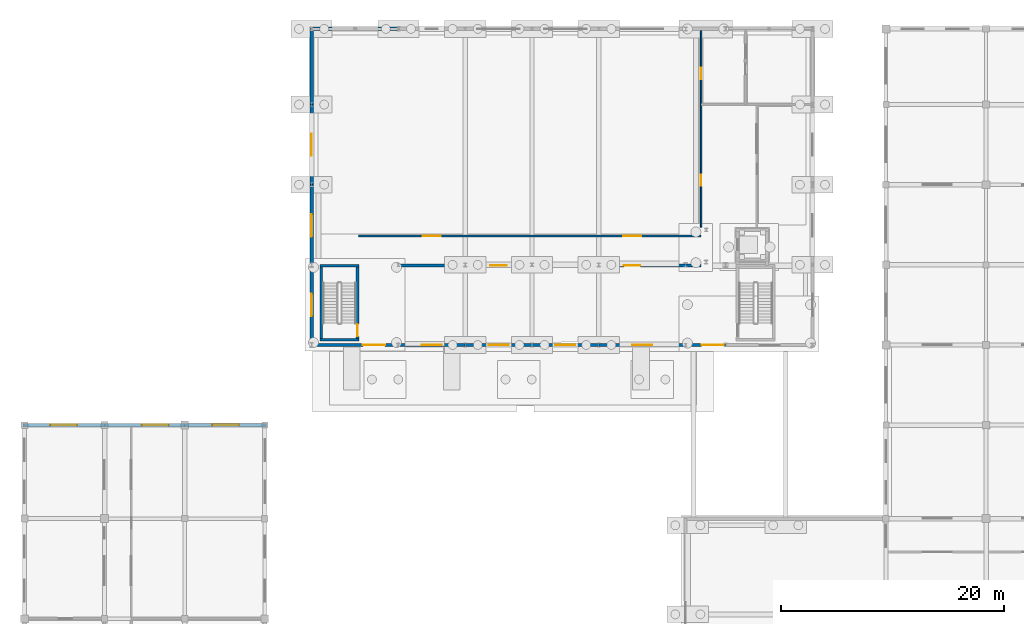
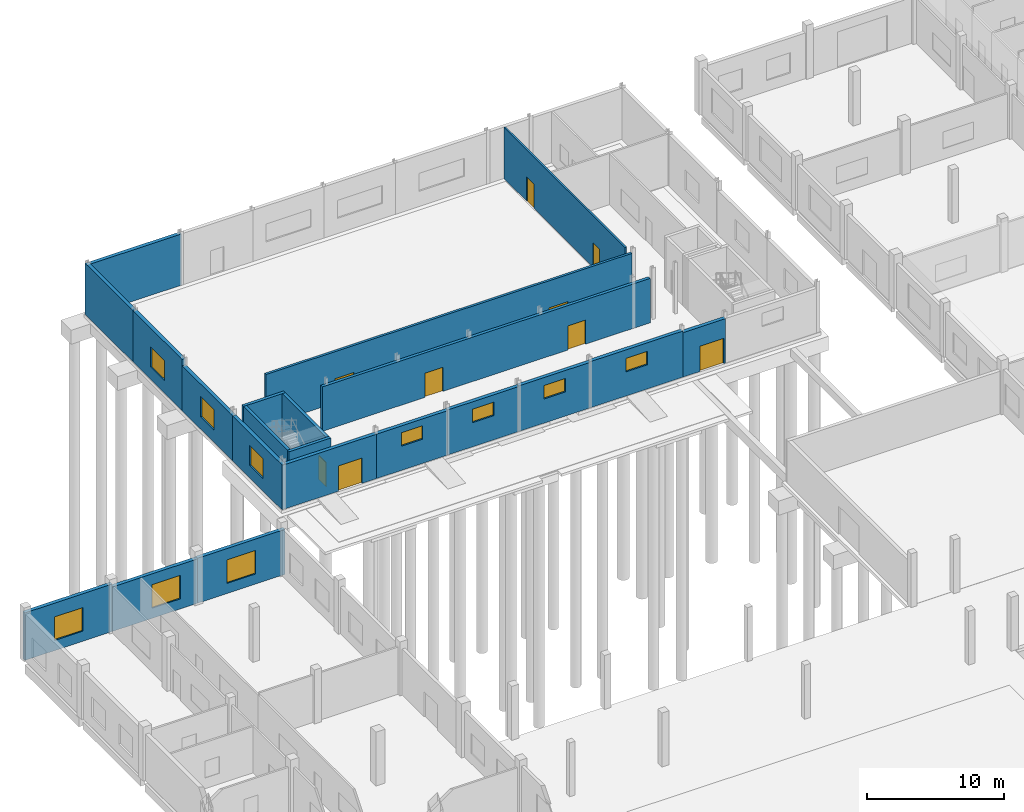
# One storey, part 75 of 91: 21 walls, 10 windows, 9 doors, 19 openings.
"""IFC4 building model written with IfcOpenShell, lengths in metres."""

from ifc_helpers import new_model, si_unit, direction, frame, frame_2d, origin, place, context, subcontext, project, spatial, rectangle, extrude, material, layer, layer_set, type_object, element, fill, save


model = new_model("IFC4")

# Units and contexts
model_context = context("Model", 3, precision=1e-05, world=origin(), true_north=direction((0.0, 1.0)))
body_context = subcontext(model_context, "Body", "Model", "MODEL_VIEW")
ifc_project = project(units=[si_unit("LENGTHUNIT", "METRE"), si_unit("AREAUNIT", "SQUARE_METRE"), si_unit("VOLUMEUNIT", "CUBIC_METRE"), si_unit("PLANEANGLEUNIT", "RADIAN"), si_unit("MASSUNIT", "GRAM", prefix="KILO")], contexts=[model_context])

# Site, building, storey
site_placement = place(None, origin())
site = spatial("IfcSite", under=ifc_project, at=site_placement, CompositionType="ELEMENT")
building_placement = place(site_placement, origin())
building = spatial("IfcBuilding", under=site, at=building_placement, Name="Vinh Khe Railworks Police Headquarters", CompositionType="ELEMENT")
storey_placement = place(building_placement, origin())
storey = spatial("IfcBuildingStorey", under=building, at=storey_placement, Name="L00", CompositionType="ELEMENT", Elevation=0.0)

# Wall
ifc_material_1 = material(Name="Concrete C40/50 (B40)", Category="concrete")
ifc_layer_1 = layer(ifc_material_1, 0.25)
ifc_layer_set_1 = layer_set([ifc_layer_1], Name="Concrete C40/50 (B40)")
wall_type_1 = type_object("IfcWallType", Name="CW-RC-250", PredefinedType="SHEAR", material=ifc_layer_set_1)
wall_1_placement = place(storey_placement, frame((27.27490234375, 138.35009765625, 0.0), z_axis=(0.0, 0.0, 1.0), x_axis=(0.0, 1.0, 0.0)))
element("IfcWall", 1, at=wall_1_placement, inside=storey, type_object=wall_type_1, Name="Core C7 Enclosure Wall L00 STAIR-W", PredefinedType="SHEAR", context=body_context, shape_type="SweptSolid", body=[
    extrude(rectangle(XDim=6.89990234375, YDim=0.25, at=frame_2d((3.449951171875, 0.0))), origin(), (0.0, 0.0, 1.0), 4.56005859375),
])

# Wall, opening, door
wall_2_placement = place(storey_placement, frame((30.52490234375, 138.35009765625, 0.0), z_axis=(0.0, 0.0, 1.0), x_axis=(0.0, 1.0, 0.0)))
wall_2 = element("IfcWall", 2, at=wall_2_placement, inside=storey, type_object=wall_type_1, Name="Core C7 Enclosure Wall L00 STAIR-E", PredefinedType="SHEAR", context=body_context, shape_type="SweptSolid", body=[
    extrude(rectangle(XDim=6.89990234375, YDim=0.25, at=frame_2d((3.449951171875, 0.0))), origin(), (0.0, 0.0, 1.0), 4.56005859375),
])
opening_1_placement = place(wall_2_placement, frame((0.419921875, 0.0, 0.0)))
opening_1 = element("IfcOpeningElement", 3, at=opening_1_placement, cuts=wall_2, Name="Opening FD-01", PredefinedType="OPENING", context=body_context, shape_type="SweptSolid", body=[
    extrude(rectangle(XDim=1.10009765625, YDim=2.14990234375, at=frame_2d((0.550048828125, 1.074951171875))), frame((0.0, 0.139892578125, 0.0), z_axis=(0.0, -1.0, 0.0), x_axis=(1.0, 0.0, 0.0)), (0.0, 0.0, 1.0), 0.27978515625),
])
ifc_material_2 = material(Name="Painted galvanised steel", Category="steel")
door_type_1 = type_object("IfcDoorType", Name="FD-1100x2150", OperationType="NOTDEFINED", PredefinedType="DOOR", material=ifc_material_2)
door_1_placement = place(opening_1_placement, frame((1.10009765625, 0.0, 0.0), z_axis=(0.0, 0.0, 1.0), x_axis=(-1.0, 0.0, 0.0)))
door_1 = element("IfcDoor", 4, at=door_1_placement, inside=storey, type_object=door_type_1, Name="Escape Stair ST-07 Fire Door L00", OperationType="SINGLE_SWING_RIGHT", OverallHeight=2.14990234375, OverallWidth=1.10009765625, PredefinedType="DOOR", context=body_context, shape_type="SweptSolid", body=[
    extrude(rectangle(XDim=1.10009765625, YDim=2.14990234375, at=frame_2d((0.550048828125, 1.074951171875))), frame((0.0, 0.02490234375, 0.0), z_axis=(0.0, -1.0, 0.0), x_axis=(1.0, 0.0, 0.0)), (0.0, 0.0, 1.0), 0.050048828125),
])
fill(opening_1, door_1)

# Walls
for number, where, z_axis, x_axis, name in (
    (5, (27.14990234375, 138.47509765625, 0.0), (0.0, 0.0, 1.0), (1.0, 0.0, 0.0), "Core C7 Enclosure Wall L00 STAIR-S"),
    (6, (27.14990234375, 145.125, 0.0), (0.0, 0.0, 1.0), (1.0, 0.0, 0.0), "Core C7 Enclosure Wall L00 STAIR-N"),
):
    element("IfcWall", number, at=place(storey_placement, frame(where, z_axis=z_axis, x_axis=x_axis)), inside=storey, type_object=wall_type_1, Name=name, PredefinedType="SHEAR", context=body_context, shape_type="SweptSolid", body=[
        extrude(rectangle(XDim=3.5, YDim=0.25, at=frame_2d((1.75, 0.0))), origin(), (0.0, 0.0, 1.0), 4.56005859375),
    ])

# Wall, opening, window
ifc_material_3 = material(Name="Clay brickwork", Category="masonry")
ifc_layer_2 = layer(ifc_material_3, 0.300048828125)
ifc_layer_set_2 = layer_set([ifc_layer_2], Name="Clay brickwork")
wall_type_2 = type_object("IfcWallType", Name="EW-BRK-300", PredefinedType="SOLIDWALL", material=ifc_layer_set_2)
wall_3_placement = place(storey_placement, frame((0.449951171875, 130.800048828125, 0.0), z_axis=(0.0, 0.0, 1.0), x_axis=(1.0, 0.0, 0.0)))
wall_3 = element("IfcWall", 7, at=wall_3_placement, inside=storey, type_object=wall_type_2, Name="Exterior Brick Wall EW-L00-V5N-01", PredefinedType="SOLIDWALL", context=body_context, shape_type="SweptSolid", body=[
    extrude(rectangle(XDim=7.35009765625, YDim=0.300048828125, at=frame_2d((3.675048828125, 0.0))), origin(), (0.0, 0.0, 1.0), 4.22509765625),
])
opening_2_placement = place(wall_3_placement, frame((2.47509765625, 0.0, 0.89990234375)))
opening_2 = element("IfcOpeningElement", 8, at=opening_2_placement, cuts=wall_3, Name="Opening WN-02", PredefinedType="OPENING", context=body_context, shape_type="SweptSolid", body=[
    extrude(rectangle(XDim=2.39990234375, YDim=2.10009765625, at=frame_2d((1.199951171875, 1.050048828125))), frame((0.0, 0.1650390625, 0.0), z_axis=(0.0, -1.0, 0.0), x_axis=(1.0, 0.0, 0.0)), (0.0, 0.0, 1.0), 0.329833984375),
])
ifc_material_4 = material(Name="Double-glazed solar-control glass in dark steel frame", Category="steel")
window_type_1 = type_object("IfcWindowType", Name="WIN-WN-02", PartitioningType="DOUBLE_PANEL_VERTICAL", PredefinedType="WINDOW", material=ifc_material_4)
window_1_placement = place(opening_2_placement, origin())
window_1 = element("IfcWindow", 9, at=window_1_placement, inside=storey, type_object=window_type_1, Name="Casement Window WN-02", OverallHeight=2.10009765625, OverallWidth=2.39990234375, PartitioningType="SINGLE_PANEL", PredefinedType="WINDOW", context=body_context, shape_type="SweptSolid", body=[
    extrude(rectangle(XDim=2.39990234375, YDim=2.10009765625, at=frame_2d((1.199951171875, 1.050048828125))), frame((0.0, 0.030029296875, 0.0), z_axis=(0.0, -1.0, 0.0), x_axis=(1.0, 0.0, 0.0)), (0.0, 0.0, 1.0), 0.06005859375),
])
fill(opening_2, window_1)

wall_4_placement = place(storey_placement, frame((7.800048828125, 130.800048828125, 0.0), z_axis=(0.0, 0.0, 1.0), x_axis=(1.0, 0.0, 0.0)))
wall_4 = element("IfcWall", 10, at=wall_4_placement, inside=storey, type_object=wall_type_2, Name="Exterior Brick Wall EW-L00-V5N-02", PredefinedType="SOLIDWALL", context=body_context, shape_type="SweptSolid", body=[
    extrude(rectangle(XDim=7.199951171875, YDim=0.300048828125, at=frame_2d((3.60009765625, 0.0))), origin(), (0.0, 0.0, 1.0), 3.955078125),
])
opening_3_placement = place(wall_4_placement, frame((3.35009765625, 0.0, 0.89990234375)))
opening_3 = element("IfcOpeningElement", 11, at=opening_3_placement, cuts=wall_4, Name="Opening WN-02", PredefinedType="OPENING", context=body_context, shape_type="SweptSolid", body=[
    extrude(rectangle(XDim=2.39990234375, YDim=2.10009765625, at=frame_2d((1.199951171875, 1.050048828125))), frame((0.0, 0.1650390625, 0.0), z_axis=(0.0, -1.0, 0.0), x_axis=(1.0, 0.0, 0.0)), (0.0, 0.0, 1.0), 0.329833984375),
])
window_2_placement = place(opening_3_placement, origin())
window_2 = element("IfcWindow", 12, at=window_2_placement, inside=storey, type_object=window_type_1, Name="Casement Window WN-02", OverallHeight=2.10009765625, OverallWidth=2.39990234375, PartitioningType="SINGLE_PANEL", PredefinedType="WINDOW", context=body_context, shape_type="SweptSolid", body=[
    extrude(rectangle(XDim=2.39990234375, YDim=2.10009765625, at=frame_2d((1.199951171875, 1.050048828125))), frame((0.0, 0.030029296875, 0.0), z_axis=(0.0, -1.0, 0.0), x_axis=(1.0, 0.0, 0.0)), (0.0, 0.0, 1.0), 0.06005859375),
])
fill(opening_3, window_2)

wall_5_placement = place(storey_placement, frame((15.0, 130.800048828125, 0.0), z_axis=(0.0, 0.0, 1.0), x_axis=(1.0, 0.0, 0.0)))
wall_5 = element("IfcWall", 13, at=wall_5_placement, inside=storey, type_object=wall_type_2, Name="Exterior Brick Wall EW-L00-V5N-03", PredefinedType="SOLIDWALL", context=body_context, shape_type="SweptSolid", body=[
    extrude(rectangle(XDim=7.35009765625, YDim=0.300048828125, at=frame_2d((3.675048828125, 0.0))), origin(), (0.0, 0.0, 1.0), 4.0048828125),
])
opening_4_placement = place(wall_5_placement, frame((2.47509765625, 0.0, 0.89990234375)))
opening_4 = element("IfcOpeningElement", 14, at=opening_4_placement, cuts=wall_5, Name="Opening WN-02", PredefinedType="OPENING", context=body_context, shape_type="SweptSolid", body=[
    extrude(rectangle(XDim=2.39990234375, YDim=2.10009765625, at=frame_2d((1.199951171875, 1.050048828125))), frame((0.0, 0.1650390625, 0.0), z_axis=(0.0, -1.0, 0.0), x_axis=(1.0, 0.0, 0.0)), (0.0, 0.0, 1.0), 0.329833984375),
])
window_3_placement = place(opening_4_placement, origin())
window_3 = element("IfcWindow", 15, at=window_3_placement, inside=storey, type_object=window_type_1, Name="Casement Window WN-02", OverallHeight=2.10009765625, OverallWidth=2.39990234375, PartitioningType="SINGLE_PANEL", PredefinedType="WINDOW", context=body_context, shape_type="SweptSolid", body=[
    extrude(rectangle(XDim=2.39990234375, YDim=2.10009765625, at=frame_2d((1.199951171875, 1.050048828125))), frame((0.0, 0.030029296875, 0.0), z_axis=(0.0, -1.0, 0.0), x_axis=(1.0, 0.0, 0.0)), (0.0, 0.0, 1.0), 0.06005859375),
])
fill(opening_4, window_3)

# Wall, opening, door
wall_6_placement = place(storey_placement, frame((26.25, 138.0, 0.0), z_axis=(0.0, 0.0, 1.0), x_axis=(1.0, 0.0, 0.0)))
wall_6 = element("IfcWall", 16, at=wall_6_placement, inside=storey, type_object=wall_type_2, Name="Firing Range South Acoustic Wall L00-1", PredefinedType="SOLIDWALL", context=body_context, shape_type="SweptSolid", body=[
    extrude(rectangle(XDim=7.949951171875, YDim=0.300048828125, at=frame_2d((3.97509765625, 0.0))), origin(), (0.0, 0.0, 1.0), 3.955078125),
])
opening_5_placement = place(wall_6_placement, frame((4.75, 0.0, 0.0)))
opening_5 = element("IfcOpeningElement", 17, at=opening_5_placement, cuts=wall_6, Name="Opening ED-01", PredefinedType="OPENING", context=body_context, shape_type="SweptSolid", body=[
    extrude(rectangle(XDim=2.0, YDim=2.25, at=frame_2d((1.0, 1.125))), frame((0.0, 0.1650390625, 0.0), z_axis=(0.0, -1.0, 0.0), x_axis=(1.0, 0.0, 0.0)), (0.0, 0.0, 1.0), 0.329833984375),
])
ifc_material_5 = material(Name="Dark anodised aluminium and laminated safety glass", Category="aluminium")
door_type_2 = type_object("IfcDoorType", Name="ED-EXIT-2000", OperationType="DOUBLE_DOOR_SINGLE_SWING", PredefinedType="DOOR", material=ifc_material_5)
door_2_placement = place(opening_5_placement, frame((2.0, 0.0, 0.0), z_axis=(0.0, 0.0, 1.0), x_axis=(-1.0, 0.0, 0.0)))
door_2 = element("IfcDoor", 18, at=door_2_placement, inside=storey, type_object=door_type_2, Name="Shed West Stair C7 Final Exit Door", OperationType="DOUBLE_DOOR_SINGLE_SWING", OverallHeight=2.25, OverallWidth=2.0, PredefinedType="DOOR", context=body_context, shape_type="SweptSolid", body=[
    extrude(rectangle(XDim=2.0, YDim=2.25, at=frame_2d((1.0, 1.125))), frame((0.0, 0.02490234375, 0.0), z_axis=(0.0, -1.0, 0.0), x_axis=(1.0, 0.0, 0.0)), (0.0, 0.0, 1.0), 0.050048828125),
])
fill(opening_5, door_2)

# Wall, opening, window
wall_7_placement = place(storey_placement, frame((34.199951171875, 138.0, 0.0), z_axis=(0.0, 0.0, 1.0), x_axis=(1.0, 0.0, 0.0)))
wall_7 = element("IfcWall", 19, at=wall_7_placement, inside=storey, type_object=wall_type_2, Name="Firing Range South Acoustic Wall L00-2", PredefinedType="SOLIDWALL", context=body_context, shape_type="SweptSolid", body=[
    extrude(rectangle(XDim=6.0, YDim=0.300048828125, at=frame_2d((3.0, 0.0))), origin(), (0.0, 0.0, 1.0), 3.955078125),
])
opening_6_placement = place(wall_7_placement, frame((2.10009765625, 0.0, 2.14990234375)))
opening_6 = element("IfcOpeningElement", 20, at=opening_6_placement, cuts=wall_7, Name="Opening WN-08", PredefinedType="OPENING", context=body_context, shape_type="SweptSolid", body=[
    extrude(rectangle(XDim=1.800048828125, YDim=1.199951171875, at=frame_2d((0.89990234375, 0.60009765625))), frame((0.0, 0.1650390625, 0.0), z_axis=(0.0, -1.0, 0.0), x_axis=(1.0, 0.0, 0.0)), (0.0, 0.0, 1.0), 0.329833984375),
])
window_type_2 = type_object("IfcWindowType", Name="WIN-WN-08", PartitioningType="SINGLE_PANEL", PredefinedType="WINDOW", material=ifc_material_4)
window_4_placement = place(opening_6_placement, origin())
window_4 = element("IfcWindow", 21, at=window_4_placement, inside=storey, type_object=window_type_2, Name="Acoustic High Clerestory Window WIN-WN-08", OverallHeight=1.199951171875, OverallWidth=1.800048828125, PartitioningType="SINGLE_PANEL", PredefinedType="WINDOW", context=body_context, shape_type="SweptSolid", body=[
    extrude(rectangle(XDim=1.800048828125, YDim=1.199951171875, at=frame_2d((0.89990234375, 0.60009765625))), frame((0.0, 0.030029296875, 0.0), z_axis=(0.0, -1.0, 0.0), x_axis=(1.0, 0.0, 0.0)), (0.0, 0.0, 1.0), 0.06005859375),
])
fill(opening_6, window_4)

wall_8_placement = place(storey_placement, frame((40.199951171875, 138.0, 0.0), z_axis=(0.0, 0.0, 1.0), x_axis=(1.0, 0.0, 0.0)))
wall_8 = element("IfcWall", 22, at=wall_8_placement, inside=storey, type_object=wall_type_2, Name="Firing Range South Acoustic Wall L00-3", PredefinedType="SOLIDWALL", context=body_context, shape_type="SweptSolid", body=[
    extrude(rectangle(XDim=6.0, YDim=0.300048828125, at=frame_2d((3.0, 0.0))), origin(), (0.0, 0.0, 1.0), 4.0048828125),
])
opening_7_placement = place(wall_8_placement, frame((2.10009765625, 0.0, 2.14990234375)))
opening_7 = element("IfcOpeningElement", 23, at=opening_7_placement, cuts=wall_8, Name="Opening WN-08", PredefinedType="OPENING", context=body_context, shape_type="SweptSolid", body=[
    extrude(rectangle(XDim=1.800048828125, YDim=1.199951171875, at=frame_2d((0.89990234375, 0.60009765625))), frame((0.0, 0.1650390625, 0.0), z_axis=(0.0, -1.0, 0.0), x_axis=(1.0, 0.0, 0.0)), (0.0, 0.0, 1.0), 0.329833984375),
])
window_5_placement = place(opening_7_placement, origin())
window_5 = element("IfcWindow", 24, at=window_5_placement, inside=storey, type_object=window_type_2, Name="Acoustic High Clerestory Window WIN-WN-08", OverallHeight=1.199951171875, OverallWidth=1.800048828125, PartitioningType="SINGLE_PANEL", PredefinedType="WINDOW", context=body_context, shape_type="SweptSolid", body=[
    extrude(rectangle(XDim=1.800048828125, YDim=1.199951171875, at=frame_2d((0.89990234375, 0.60009765625))), frame((0.0, 0.030029296875, 0.0), z_axis=(0.0, -1.0, 0.0), x_axis=(1.0, 0.0, 0.0)), (0.0, 0.0, 1.0), 0.06005859375),
])
fill(opening_7, window_5)

wall_9_placement = place(storey_placement, frame((46.199951171875, 138.0, 0.0), z_axis=(0.0, 0.0, 1.0), x_axis=(1.0, 0.0, 0.0)))
wall_9 = element("IfcWall", 25, at=wall_9_placement, inside=storey, type_object=wall_type_2, Name="Firing Range South Acoustic Wall L00-4", PredefinedType="SOLIDWALL", context=body_context, shape_type="SweptSolid", body=[
    extrude(rectangle(XDim=6.0, YDim=0.300048828125, at=frame_2d((3.0, 0.0))), origin(), (0.0, 0.0, 1.0), 4.054931640625),
])
opening_8_placement = place(wall_9_placement, frame((2.10009765625, 0.0, 2.14990234375)))
opening_8 = element("IfcOpeningElement", 26, at=opening_8_placement, cuts=wall_9, Name="Opening WN-08", PredefinedType="OPENING", context=body_context, shape_type="SweptSolid", body=[
    extrude(rectangle(XDim=1.800048828125, YDim=1.199951171875, at=frame_2d((0.89990234375, 0.60009765625))), frame((0.0, 0.1650390625, 0.0), z_axis=(0.0, -1.0, 0.0), x_axis=(1.0, 0.0, 0.0)), (0.0, 0.0, 1.0), 0.329833984375),
])
window_6_placement = place(opening_8_placement, origin())
window_6 = element("IfcWindow", 27, at=window_6_placement, inside=storey, type_object=window_type_2, Name="Acoustic High Clerestory Window WIN-WN-08", OverallHeight=1.199951171875, OverallWidth=1.800048828125, PartitioningType="SINGLE_PANEL", PredefinedType="WINDOW", context=body_context, shape_type="SweptSolid", body=[
    extrude(rectangle(XDim=1.800048828125, YDim=1.199951171875, at=frame_2d((0.89990234375, 0.60009765625))), frame((0.0, 0.030029296875, 0.0), z_axis=(0.0, -1.0, 0.0), x_axis=(1.0, 0.0, 0.0)), (0.0, 0.0, 1.0), 0.06005859375),
])
fill(opening_8, window_6)

wall_10_placement = place(storey_placement, frame((52.199951171875, 138.0, 0.0), z_axis=(0.0, 0.0, 1.0), x_axis=(1.0, 0.0, 0.0)))
wall_10 = element("IfcWall", 28, at=wall_10_placement, inside=storey, type_object=wall_type_2, Name="Firing Range South Acoustic Wall L00-5", PredefinedType="SOLIDWALL", context=body_context, shape_type="SweptSolid", body=[
    extrude(rectangle(XDim=7.800048828125, YDim=0.300048828125, at=frame_2d((3.89990234375, 0.0))), origin(), (0.0, 0.0, 1.0), 4.10498046875),
])
opening_9_placement = place(wall_10_placement, frame((3.0, 0.0, 2.14990234375)))
opening_9 = element("IfcOpeningElement", 29, at=opening_9_placement, cuts=wall_10, Name="Opening WN-08", PredefinedType="OPENING", context=body_context, shape_type="SweptSolid", body=[
    extrude(rectangle(XDim=1.800048828125, YDim=1.199951171875, at=frame_2d((0.89990234375, 0.60009765625))), frame((0.0, 0.1650390625, 0.0), z_axis=(0.0, -1.0, 0.0), x_axis=(1.0, 0.0, 0.0)), (0.0, 0.0, 1.0), 0.329833984375),
])
window_7_placement = place(opening_9_placement, origin())
window_7 = element("IfcWindow", 30, at=window_7_placement, inside=storey, type_object=window_type_2, Name="Acoustic High Clerestory Window WIN-WN-08", OverallHeight=1.199951171875, OverallWidth=1.800048828125, PartitioningType="SINGLE_PANEL", PredefinedType="WINDOW", context=body_context, shape_type="SweptSolid", body=[
    extrude(rectangle(XDim=1.800048828125, YDim=1.199951171875, at=frame_2d((0.89990234375, 0.60009765625))), frame((0.0, 0.030029296875, 0.0), z_axis=(0.0, -1.0, 0.0), x_axis=(1.0, 0.0, 0.0)), (0.0, 0.0, 1.0), 0.06005859375),
])
fill(opening_9, window_7)

# Wall, opening, door
wall_11_placement = place(storey_placement, frame((60.0, 138.0, 0.0), z_axis=(0.0, 0.0, 1.0), x_axis=(1.0, 0.0, 0.0)))
wall_11 = element("IfcWall", 31, at=wall_11_placement, inside=storey, type_object=wall_type_2, Name="Firing Range South Acoustic Wall L00-6", PredefinedType="SOLIDWALL", context=body_context, shape_type="SweptSolid", body=[
    extrude(rectangle(XDim=3.60009765625, YDim=0.300048828125, at=frame_2d((1.800048828125, 0.0))), origin(), (0.0, 0.0, 1.0), 3.955078125),
])
opening_10_placement = place(wall_11_placement, frame((1.449951171875, 0.0, 0.0)))
opening_10 = element("IfcOpeningElement", 32, at=opening_10_placement, cuts=wall_11, Name="Opening ED-01", PredefinedType="OPENING", context=body_context, shape_type="SweptSolid", body=[
    extrude(rectangle(XDim=2.0, YDim=2.25, at=frame_2d((1.0, 1.125))), frame((0.0, 0.1650390625, 0.0), z_axis=(0.0, -1.0, 0.0), x_axis=(1.0, 0.0, 0.0)), (0.0, 0.0, 1.0), 0.329833984375),
])
door_3_placement = place(opening_10_placement, frame((2.0, 0.0, 0.0), z_axis=(0.0, 0.0, 1.0), x_axis=(-1.0, 0.0, 0.0)))
door_3 = element("IfcDoor", 33, at=door_3_placement, inside=storey, type_object=door_type_2, Name="Shed East Stair C6 Final Exit Door", OperationType="DOUBLE_DOOR_SINGLE_SWING", OverallHeight=2.25, OverallWidth=2.0, PredefinedType="DOOR", context=body_context, shape_type="SweptSolid", body=[
    extrude(rectangle(XDim=2.0, YDim=2.25, at=frame_2d((1.0, 1.125))), frame((0.0, 0.02490234375, 0.0), z_axis=(0.0, -1.0, 0.0), x_axis=(1.0, 0.0, 0.0)), (0.0, 0.0, 1.0), 0.050048828125),
])
fill(opening_10, door_3)

# Wall
wall_12_placement = place(storey_placement, frame((26.25, 166.39990234375, 0.0), z_axis=(0.0, 0.0, 1.0), x_axis=(1.0, 0.0, 0.0)))
element("IfcWall", 34, at=wall_12_placement, inside=storey, type_object=wall_type_2, Name="Exterior Brick Wall EW-L00-V3N-01", PredefinedType="SOLIDWALL", context=body_context, shape_type="SweptSolid", body=[
    extrude(rectangle(XDim=7.949951171875, YDim=0.300048828125, at=frame_2d((3.97509765625, 0.0))), origin(), (0.0, 0.0, 1.0), 4.56005859375),
])

# Wall, opening, window
wall_13_placement = place(storey_placement, frame((26.39990234375, 137.85009765625, 0.0), z_axis=(0.0, 0.0, 1.0), x_axis=(0.0, 1.0, 0.0)))
wall_13 = element("IfcWall", 35, at=wall_13_placement, inside=storey, type_object=wall_type_2, Name="Exterior Brick Wall EW-L00-V3WM-01", PredefinedType="SOLIDWALL", context=body_context, shape_type="SweptSolid", body=[
    extrude(rectangle(XDim=7.5, YDim=0.300048828125, at=frame_2d((3.75, 0.0))), origin(), (0.0, 0.0, 1.0), 4.0048828125),
])
opening_11_placement = place(wall_13_placement, frame((2.75, 0.0, 1.10009765625)))
opening_11 = element("IfcOpeningElement", 36, at=opening_11_placement, cuts=wall_13, Name="Opening WN-04", PredefinedType="OPENING", context=body_context, shape_type="SweptSolid", body=[
    extrude(rectangle(XDim=2.0, YDim=1.800048828125, at=frame_2d((1.0, 0.89990234375))), frame((0.0, 0.1650390625, 0.0), z_axis=(0.0, -1.0, 0.0), x_axis=(1.0, 0.0, 0.0)), (0.0, 0.0, 1.0), 0.329833984375),
])
window_type_3 = type_object("IfcWindowType", Name="WIN-WN-04", PartitioningType="DOUBLE_PANEL_VERTICAL", PredefinedType="WINDOW", material=ifc_material_4)
window_8_placement = place(opening_11_placement, origin())
window_8 = element("IfcWindow", 37, at=window_8_placement, inside=storey, type_object=window_type_3, Name="Casement Window WN-04", OverallHeight=1.800048828125, OverallWidth=2.0, PartitioningType="SINGLE_PANEL", PredefinedType="WINDOW", context=body_context, shape_type="SweptSolid", body=[
    extrude(rectangle(XDim=2.0, YDim=1.800048828125, at=frame_2d((1.0, 0.89990234375))), frame((0.0, 0.030029296875, 0.0), z_axis=(0.0, -1.0, 0.0), x_axis=(1.0, 0.0, 0.0)), (0.0, 0.0, 1.0), 0.06005859375),
])
fill(opening_11, window_8)

wall_14_placement = place(storey_placement, frame((26.39990234375, 145.050048828125, 0.0), z_axis=(0.0, 0.0, 1.0), x_axis=(0.0, 1.0, 0.0)))
wall_14 = element("IfcWall", 38, at=wall_14_placement, inside=storey, type_object=wall_type_2, Name="Exterior Brick Wall EW-L00-V3W-01", PredefinedType="SOLIDWALL", context=body_context, shape_type="SweptSolid", body=[
    extrude(rectangle(XDim=7.349853515625, YDim=0.300048828125, at=frame_2d((3.6748046875, 0.0))), origin(), (0.0, 0.0, 1.0), 4.0048828125),
])
opening_12_placement = place(wall_14_placement, frame((2.675048828125, 0.0, 1.10009765625)))
opening_12 = element("IfcOpeningElement", 39, at=opening_12_placement, cuts=wall_14, Name="Opening WN-04", PredefinedType="OPENING", context=body_context, shape_type="SweptSolid", body=[
    extrude(rectangle(XDim=2.0, YDim=1.800048828125, at=frame_2d((1.0, 0.89990234375))), frame((0.0, 0.1650390625, 0.0), z_axis=(0.0, -1.0, 0.0), x_axis=(1.0, 0.0, 0.0)), (0.0, 0.0, 1.0), 0.329833984375),
])
window_9_placement = place(opening_12_placement, origin())
window_9 = element("IfcWindow", 40, at=window_9_placement, inside=storey, type_object=window_type_3, Name="Casement Window WN-04", OverallHeight=1.800048828125, OverallWidth=2.0, PartitioningType="SINGLE_PANEL", PredefinedType="WINDOW", context=body_context, shape_type="SweptSolid", body=[
    extrude(rectangle(XDim=2.0, YDim=1.800048828125, at=frame_2d((1.0, 0.89990234375))), frame((0.0, 0.030029296875, 0.0), z_axis=(0.0, -1.0, 0.0), x_axis=(1.0, 0.0, 0.0)), (0.0, 0.0, 1.0), 0.06005859375),
])
fill(opening_12, window_9)

wall_15_placement = place(storey_placement, frame((26.39990234375, 152.39990234375, 0.0), z_axis=(0.0, 0.0, 1.0), x_axis=(0.0, 1.0, 0.0)))
wall_15 = element("IfcWall", 41, at=wall_15_placement, inside=storey, type_object=wall_type_2, Name="Exterior Brick Wall EW-L00-V3W-02", PredefinedType="SOLIDWALL", context=body_context, shape_type="SweptSolid", body=[
    extrude(rectangle(XDim=7.2001953125, YDim=0.300048828125, at=frame_2d((3.60009765625, 0.0))), origin(), (0.0, 0.0, 1.0), 4.56005859375),
])
opening_13_placement = place(wall_15_placement, frame((2.60009765625, 0.0, 1.10009765625)))
opening_13 = element("IfcOpeningElement", 42, at=opening_13_placement, cuts=wall_15, Name="Opening WN-04", PredefinedType="OPENING", context=body_context, shape_type="SweptSolid", body=[
    extrude(rectangle(XDim=2.0, YDim=1.800048828125, at=frame_2d((1.0, 0.89990234375))), frame((0.0, 0.1650390625, 0.0), z_axis=(0.0, -1.0, 0.0), x_axis=(1.0, 0.0, 0.0)), (0.0, 0.0, 1.0), 0.329833984375),
])
window_10_placement = place(opening_13_placement, origin())
window_10 = element("IfcWindow", 43, at=window_10_placement, inside=storey, type_object=window_type_3, Name="Casement Window WN-04", OverallHeight=1.800048828125, OverallWidth=2.0, PartitioningType="SINGLE_PANEL", PredefinedType="WINDOW", context=body_context, shape_type="SweptSolid", body=[
    extrude(rectangle(XDim=2.0, YDim=1.800048828125, at=frame_2d((1.0, 0.89990234375))), frame((0.0, 0.030029296875, 0.0), z_axis=(0.0, -1.0, 0.0), x_axis=(1.0, 0.0, 0.0)), (0.0, 0.0, 1.0), 0.06005859375),
])
fill(opening_13, window_10)

# Wall
wall_16_placement = place(storey_placement, frame((26.39990234375, 159.60009765625, 0.0), z_axis=(0.0, 0.0, 1.0), x_axis=(0.0, 1.0, 0.0)))
element("IfcWall", 44, at=wall_16_placement, inside=storey, type_object=wall_type_2, Name="Exterior Brick Wall EW-L00-V3W-03", PredefinedType="SOLIDWALL", context=body_context, shape_type="SweptSolid", body=[
    extrude(rectangle(XDim=6.949951171875, YDim=0.300048828125, at=frame_2d((3.47509765625, 0.0))), origin(), (0.0, 0.0, 1.0), 4.56005859375),
])

# Wall, openings, doors
ifc_material_6 = material(Name="Autoclaved aerated concrete blockwork", Category="masonry")
ifc_layer_3 = layer(ifc_material_6, 0.199951171875)
ifc_layer_set_3 = layer_set([ifc_layer_3], Name="Autoclaved aerated concrete blockwork")
wall_type_3 = type_object("IfcWallType", Name="IW-BLK-200", PredefinedType="PARTITIONING", material=ifc_layer_set_3)
wall_17_placement = place(storey_placement, frame((30.60009765625, 147.800048828125, 0.0), z_axis=(0.0, 0.0, 1.0), x_axis=(1.0, 0.0, 0.0)))
wall_17 = element("IfcWall", 45, at=wall_17_placement, inside=storey, type_object=wall_type_3, Name="Interior Partition W-L00-V3-GYM", PredefinedType="PARTITIONING", context=body_context, shape_type="SweptSolid", body=[
    extrude(rectangle(XDim=30.7998046875, YDim=0.199951171875, at=frame_2d((15.39990234375, 0.0))), origin(), (0.0, 0.0, 1.0), 4.554931640625),
])
opening_14_placement = place(wall_17_placement, frame((5.800048828125, 0.0, 0.0)))
opening_14 = element("IfcOpeningElement", 46, at=opening_14_placement, cuts=wall_17, Name="Opening D-03", PredefinedType="OPENING", context=body_context, shape_type="SweptSolid", body=[
    extrude(rectangle(XDim=1.60009765625, YDim=2.14990234375, at=frame_2d((0.800048828125, 1.074951171875))), frame((0.0, 0.11474609375, 0.0), z_axis=(0.0, -1.0, 0.0), x_axis=(1.0, 0.0, 0.0)), (0.0, 0.0, 1.0), 0.229736328125),
])
opening_15_placement = place(wall_17_placement, frame((23.800048828125, 0.0, 0.0)))
opening_15 = element("IfcOpeningElement", 47, at=opening_15_placement, cuts=wall_17, Name="Opening D-03", PredefinedType="OPENING", context=body_context, shape_type="SweptSolid", body=[
    extrude(rectangle(XDim=1.60009765625, YDim=2.14990234375, at=frame_2d((0.800048828125, 1.074951171875))), frame((0.0, 0.11474609375, 0.0), z_axis=(0.0, -1.0, 0.0), x_axis=(1.0, 0.0, 0.0)), (0.0, 0.0, 1.0), 0.229736328125),
])
door_type_3 = type_object("IfcDoorType", Name="ID-1600x2150", OperationType="DOUBLE_DOOR_SINGLE_SWING", PredefinedType="DOOR", material=ifc_material_2)
door_4_placement = place(opening_14_placement, origin())
door_4 = element("IfcDoor", 48, at=door_4_placement, inside=storey, type_object=door_type_3, Name="Gymnasium Hall Door 1", OperationType="DOUBLE_DOOR_SINGLE_SWING", OverallHeight=2.14990234375, OverallWidth=1.60009765625, PredefinedType="DOOR", context=body_context, shape_type="SweptSolid", body=[
    extrude(rectangle(XDim=1.60009765625, YDim=2.14990234375, at=frame_2d((0.800048828125, 1.074951171875))), frame((0.0, 0.02490234375, 0.0), z_axis=(0.0, -1.0, 0.0), x_axis=(1.0, 0.0, 0.0)), (0.0, 0.0, 1.0), 0.050048828125),
])
fill(opening_14, door_4)
door_5_placement = place(opening_15_placement, origin())
door_5 = element("IfcDoor", 49, at=door_5_placement, inside=storey, type_object=door_type_3, Name="Gymnasium Hall Door 2", OperationType="DOUBLE_DOOR_SINGLE_SWING", OverallHeight=2.14990234375, OverallWidth=1.60009765625, PredefinedType="DOOR", context=body_context, shape_type="SweptSolid", body=[
    extrude(rectangle(XDim=1.60009765625, YDim=2.14990234375, at=frame_2d((0.800048828125, 1.074951171875))), frame((0.0, 0.02490234375, 0.0), z_axis=(0.0, -1.0, 0.0), x_axis=(1.0, 0.0, 0.0)), (0.0, 0.0, 1.0), 0.050048828125),
])
fill(opening_15, door_5)

ifc_layer_4 = layer(ifc_material_6, 0.25)
ifc_layer_set_4 = layer_set([ifc_layer_4], Name="Autoclaved aerated concrete blockwork")
wall_type_4 = type_object("IfcWallType", Name="IW-BLK-250", PredefinedType="PARTITIONING", material=ifc_layer_set_4)
wall_18_placement = place(storey_placement, frame((33.800048828125, 145.14990234375, 0.0), z_axis=(0.0, 0.0, 1.0), x_axis=(1.0, 0.0, 0.0)))
wall_18 = element("IfcWall", 50, at=wall_18_placement, inside=storey, type_object=wall_type_4, Name="Interior Partition W-L00-V3-RNG", PredefinedType="PARTITIONING", context=body_context, shape_type="SweptSolid", body=[
    extrude(rectangle(XDim=27.599853515625, YDim=0.25, at=frame_2d((13.7998046875, 0.0))), origin(), (0.0, 0.0, 1.0), 3.955078125),
])
opening_16_placement = place(wall_18_placement, frame((8.64990234375, 0.0, 0.0)))
opening_16 = element("IfcOpeningElement", 51, at=opening_16_placement, cuts=wall_18, Name="Opening FD-02", PredefinedType="OPENING", context=body_context, shape_type="SweptSolid", body=[
    extrude(rectangle(XDim=1.5, YDim=2.14990234375, at=frame_2d((0.75, 1.074951171875))), frame((0.0, 0.139892578125, 0.0), z_axis=(0.0, -1.0, 0.0), x_axis=(1.0, 0.0, 0.0)), (0.0, 0.0, 1.0), 0.27978515625),
])
opening_17_placement = place(wall_18_placement, frame((20.64990234375, 0.0, 0.0)))
opening_17 = element("IfcOpeningElement", 52, at=opening_17_placement, cuts=wall_18, Name="Opening FD-02", PredefinedType="OPENING", context=body_context, shape_type="SweptSolid", body=[
    extrude(rectangle(XDim=1.5, YDim=2.14990234375, at=frame_2d((0.75, 1.074951171875))), frame((0.0, 0.139892578125, 0.0), z_axis=(0.0, -1.0, 0.0), x_axis=(1.0, 0.0, 0.0)), (0.0, 0.0, 1.0), 0.27978515625),
])
door_type_4 = type_object("IfcDoorType", Name="FD-1500x2150", OperationType="DOUBLE_DOOR_SINGLE_SWING", PredefinedType="DOOR", material=ifc_material_2)
door_6_placement = place(opening_16_placement, origin())
door_6 = element("IfcDoor", 53, at=door_6_placement, inside=storey, type_object=door_type_4, Name="Firing Range Acoustic Door 1", OperationType="DOUBLE_DOOR_SINGLE_SWING", OverallHeight=2.14990234375, OverallWidth=1.5, PredefinedType="DOOR", context=body_context, shape_type="SweptSolid", body=[
    extrude(rectangle(XDim=1.5, YDim=2.14990234375, at=frame_2d((0.75, 1.074951171875))), frame((0.0, 0.02490234375, 0.0), z_axis=(0.0, -1.0, 0.0), x_axis=(1.0, 0.0, 0.0)), (0.0, 0.0, 1.0), 0.050048828125),
])
fill(opening_16, door_6)
door_7_placement = place(opening_17_placement, origin())
door_7 = element("IfcDoor", 54, at=door_7_placement, inside=storey, type_object=door_type_4, Name="Firing Range Acoustic Door 2", OperationType="DOUBLE_DOOR_SINGLE_SWING", OverallHeight=2.14990234375, OverallWidth=1.5, PredefinedType="DOOR", context=body_context, shape_type="SweptSolid", body=[
    extrude(rectangle(XDim=1.5, YDim=2.14990234375, at=frame_2d((0.75, 1.074951171875))), frame((0.0, 0.02490234375, 0.0), z_axis=(0.0, -1.0, 0.0), x_axis=(1.0, 0.0, 0.0)), (0.0, 0.0, 1.0), 0.050048828125),
])
fill(opening_17, door_7)

ifc_material_7 = material(Name="Gypsum plasterboard on acoustic steel stud", Category="steel")
ifc_layer_5 = layer(ifc_material_7, 0.14990234375)
ifc_layer_set_5 = layer_set([ifc_layer_5], Name="Gypsum plasterboard on acoustic steel stud")
wall_type_5 = type_object("IfcWallType", Name="IW-PART-150", PredefinedType="PARTITIONING", material=ifc_layer_set_5)
wall_19_placement = place(storey_placement, frame((61.39990234375, 148.60009765625, 0.0), z_axis=(0.0, 0.0, 1.0), x_axis=(0.0, 1.0, 0.0)))
wall_19 = element("IfcWall", 55, at=wall_19_placement, inside=storey, type_object=wall_type_5, Name="Interior Partition W-L00-V3-CLN-W", PredefinedType="PARTITIONING", context=body_context, shape_type="SweptSolid", body=[
    extrude(rectangle(XDim=17.639892578125, YDim=0.14990234375, at=frame_2d((8.81982421875, 0.0))), origin(), (0.0, 0.0, 1.0), 4.554931640625),
])
opening_18_placement = place(wall_19_placement, frame((3.72509765625, 0.0, 0.0)))
opening_18 = element("IfcOpeningElement", 56, at=opening_18_placement, cuts=wall_19, Name="Opening D-01", PredefinedType="OPENING", context=body_context, shape_type="SweptSolid", body=[
    extrude(rectangle(XDim=0.949951171875, YDim=2.14990234375, at=frame_2d((0.47509765625, 1.074951171875))), frame((0.0, 0.08984375, 0.0), z_axis=(0.0, -1.0, 0.0), x_axis=(1.0, 0.0, 0.0)), (0.0, 0.0, 1.0), 0.1796875),
])
opening_19_placement = place(wall_19_placement, frame((13.27490234375, 0.0, 0.0)))
opening_19 = element("IfcOpeningElement", 57, at=opening_19_placement, cuts=wall_19, Name="Opening D-02", PredefinedType="OPENING", context=body_context, shape_type="SweptSolid", body=[
    extrude(rectangle(XDim=1.050048828125, YDim=2.14990234375, at=frame_2d((0.52490234375, 1.074951171875))), frame((0.0, 0.08984375, 0.0), z_axis=(0.0, -1.0, 0.0), x_axis=(1.0, 0.0, 0.0)), (0.0, 0.0, 1.0), 0.1796875),
])
ifc_material_8 = material(Name="Seasoned hardwood timber", Category="wood")
door_type_5 = type_object("IfcDoorType", Name="ID-1050x2150", OperationType="NOTDEFINED", PredefinedType="DOOR", material=ifc_material_8)
door_8_placement = place(opening_19_placement, origin())
door_8 = element("IfcDoor", 58, at=door_8_placement, inside=storey, type_object=door_type_5, Name="Gymnasium Accessible WC Door", OperationType="SINGLE_SWING_LEFT", OverallHeight=2.14990234375, OverallWidth=1.050048828125, PredefinedType="DOOR", context=body_context, shape_type="SweptSolid", body=[
    extrude(rectangle(XDim=1.050048828125, YDim=2.14990234375, at=frame_2d((0.52490234375, 1.074951171875))), frame((0.0, 0.02490234375, 0.0), z_axis=(0.0, -1.0, 0.0), x_axis=(1.0, 0.0, 0.0)), (0.0, 0.0, 1.0), 0.050048828125),
])
fill(opening_19, door_8)
door_type_6 = type_object("IfcDoorType", Name="ID-950x2150", OperationType="NOTDEFINED", PredefinedType="DOOR", material=ifc_material_8)
door_9_placement = place(opening_18_placement, origin())
door_9 = element("IfcDoor", 59, at=door_9_placement, inside=storey, type_object=door_type_6, Name="Weapons Cleaning Room Door", OperationType="SINGLE_SWING_RIGHT", OverallHeight=2.14990234375, OverallWidth=0.949951171875, PredefinedType="DOOR", context=body_context, shape_type="SweptSolid", body=[
    extrude(rectangle(XDim=0.949951171875, YDim=2.14990234375, at=frame_2d((0.47509765625, 1.074951171875))), frame((0.0, 0.02490234375, 0.0), z_axis=(0.0, -1.0, 0.0), x_axis=(1.0, 0.0, 0.0)), (0.0, 0.0, 1.0), 0.050048828125),
])
fill(opening_18, door_9)

save(model, "model.ifc")
